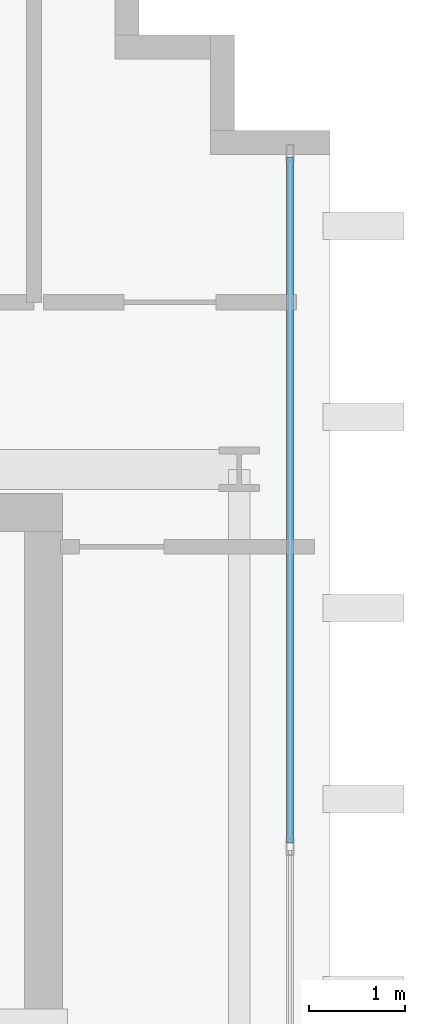
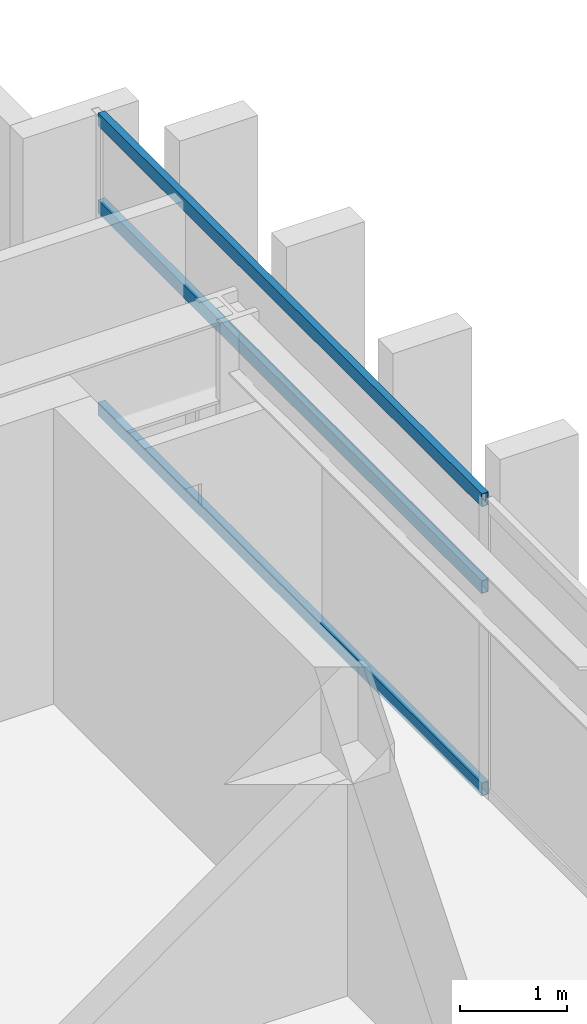
# One storey, part 15 of 25: 3 members, 1 element without a shape of its own.
"""IFC4 building model written with IfcOpenShell, lengths in metres."""

from ifc_helpers import new_model, si_unit, direction, frame, origin, origin_2d, place, context, subcontext, project, spatial, hollow_rectangle, extrude, source, transform, mapped, material, layer, layer_set, material_profile, profile_set, type_object, element, aggregate, save


model = new_model("IFC4")

# Units and contexts
model_context = context("Model", 3, precision=1e-05, world=origin(), true_north=direction((0.0, 1.0)))
body_context = subcontext(model_context, "Body", "Model", "MODEL_VIEW")
ifc_project = project(units=[si_unit("LENGTHUNIT", "METRE"), si_unit("AREAUNIT", "SQUARE_METRE"), si_unit("VOLUMEUNIT", "CUBIC_METRE"), si_unit("PLANEANGLEUNIT", "RADIAN"), si_unit("MASSUNIT", "GRAM", prefix="KILO")], contexts=[model_context])

# Site, building, storey
site_placement = place(None, origin())
site = spatial("IfcSite", under=ifc_project, at=site_placement, CompositionType="ELEMENT")
building_placement = place(site_placement, origin())
building = spatial("IfcBuilding", under=site, at=building_placement, Name="Ocotamira Hotel", CompositionType="ELEMENT")
storey_placement = place(building_placement, frame((0.0, 0.0, 265.199951171875)))
storey = spatial("IfcBuildingStorey", under=building, at=storey_placement, Name="L67", CompositionType="ELEMENT", Elevation=265.199951171875)

# Curtain wall, members
ifc_material_1 = material(Name="Anodised pale-metal aluminium and solar glass", Category="aluminium")
ifc_layer = layer(ifc_material_1, 0.2099609375)
ifc_layer_set = layer_set([ifc_layer], Name="Anodised pale-metal aluminium and solar glass")
curtain_wall_type = type_object("IfcCurtainWallType", Name="CW-SYS7-PEAK", PredefinedType="NOTDEFINED", material=ifc_layer_set)
curtain_wall_placement = place(storey_placement, origin())
curtain_wall = element("IfcCurtainWall", 1, at=curtain_wall_placement, inside=storey, type_object=curtain_wall_type, Name="L67 Curtain Wall CW-7 CW-L67-EO2", PredefinedType="NOTDEFINED")
ifc_material_2 = material(Name="Anodised pale-metal aluminium 6063-T6", Category="aluminium")
ifc_material_profile = material_profile(ifc_material_2, hollow_rectangle(XDim=0.074951171875, YDim=0.14990234375, WallThickness=0.006103515625, at=origin_2d()), Name="HSS150X75X6")
ifc_profile_set = profile_set([ifc_material_profile], Name="Anodised pale-metal aluminium 6063-T6")
member_type = type_object("IfcMemberType", Name="CWT-150X75", PredefinedType="USERDEFINED", material=ifc_profile_set)
shared_shape = source(origin(), body_context, "Body", "SweptSolid", [
    extrude(hollow_rectangle(XDim=0.074951171875, YDim=0.14990234375, WallThickness=0.006103515625, at=origin_2d()), origin(), (0.0, 0.0, 1.0), 7.179931640625),
])
member_1_placement = place(storey_placement, frame((55.580078125, 33.5400390625, 0.03759765625), z_axis=(0.0, 1.0, 0.0), x_axis=(-1.0, 0.0, 0.0)))
member_1 = element("IfcMember", 2, at=member_1_placement, type_object=member_type, Name="CW-7 transom 2.1", ObjectType="TRANSOM", PredefinedType="USERDEFINED", context=body_context, shape_type="MappedRepresentation", body=[
    mapped(shared_shape, transform((0.0, 0.0, 0.0), scale=1.0)),
])
member_2_placement = place(storey_placement, frame((55.580078125, 33.5400390625, 2.35009765625), z_axis=(0.0, 1.0, 0.0), x_axis=(-1.0, 0.0, 0.0)))
member_2 = element("IfcMember", 3, at=member_2_placement, type_object=member_type, Name="CW-7 transom 2.2", ObjectType="TRANSOM", PredefinedType="USERDEFINED", context=body_context, shape_type="MappedRepresentation", body=[
    mapped(shared_shape, transform((0.0, 0.0, 0.0), scale=1.0)),
])
member_3_placement = place(storey_placement, frame((55.580078125, 33.5400390625, 3.342529296875), z_axis=(0.0, 1.0, 0.0), x_axis=(-1.0, 0.0, 0.0)))
member_3 = element("IfcMember", 4, at=member_3_placement, type_object=member_type, Name="CW-7 transom 2.3", ObjectType="TRANSOM", PredefinedType="USERDEFINED", context=body_context, shape_type="MappedRepresentation", body=[
    mapped(shared_shape, transform((0.0, 0.0, 0.0), scale=1.0)),
])
aggregate(curtain_wall, [member_1, member_2, member_3])

save(model, "model.ifc")
